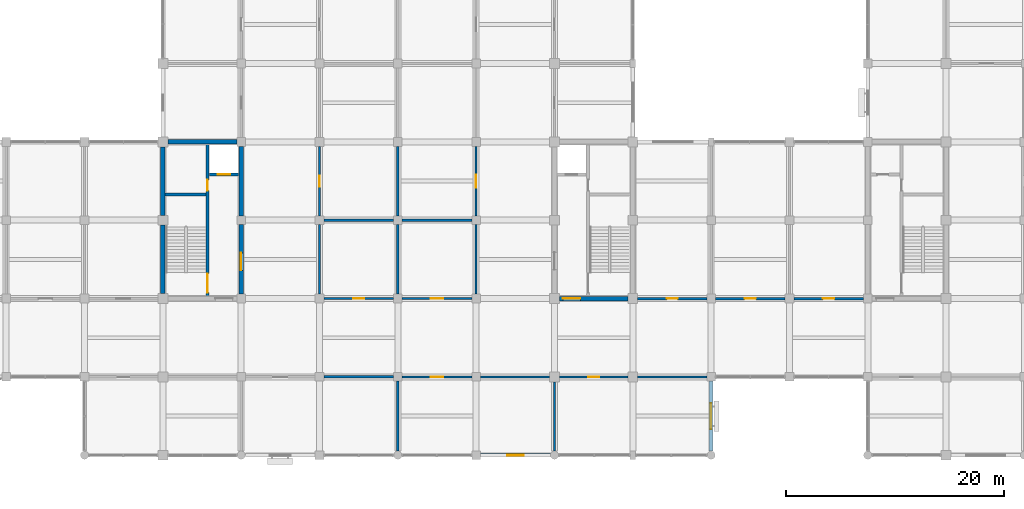
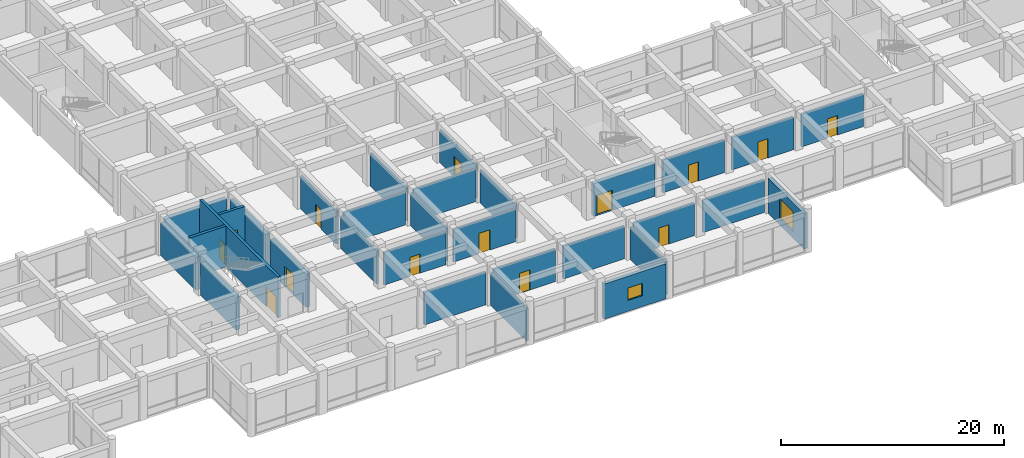
# One storey, part 58 of 75: 31 walls, 14 doors, 2 windows, 16 openings.
"""IFC4 building model written with IfcOpenShell, lengths in metres."""

from ifc_helpers import new_model, si_unit, direction, frame, frame_2d, origin, place, context, subcontext, project, spatial, rectangle, extrude, material, layer, layer_set, type_object, element, fill, save


model = new_model("IFC4")

# Units and contexts
model_context = context("Model", 3, precision=1e-05, world=origin(), true_north=direction((0.0, 1.0)))
body_context = subcontext(model_context, "Body", "Model", "MODEL_VIEW")
ifc_project = project(units=[si_unit("LENGTHUNIT", "METRE"), si_unit("AREAUNIT", "SQUARE_METRE"), si_unit("VOLUMEUNIT", "CUBIC_METRE"), si_unit("PLANEANGLEUNIT", "RADIAN"), si_unit("MASSUNIT", "GRAM", prefix="KILO")], contexts=[model_context])

# Site, building, storey
site_placement = place(None, origin())
site = spatial("IfcSite", under=ifc_project, at=site_placement, CompositionType="ELEMENT")
building_placement = place(site_placement, origin())
building = spatial("IfcBuilding", under=site, at=building_placement, Name="Cendaluz Park School", CompositionType="ELEMENT")
storey_placement = place(building_placement, frame((0.0, 0.0, 4.800048828125)))
storey = spatial("IfcBuildingStorey", under=building, at=storey_placement, Name="L01", CompositionType="ELEMENT", Elevation=4.800048828125)

# Wall, opening, door
ifc_material_1 = material(Name="Gypsum Plasterboard on Cold-Formed Stud", Category="gypsum")
ifc_layer_1 = layer(ifc_material_1, 0.199951171875)
ifc_layer_set_1 = layer_set([ifc_layer_1], Name="Gypsum Plasterboard on Cold-Formed Stud")
wall_type_1 = type_object("IfcWallType", Name="W-AC20", PredefinedType="PARTITIONING", material=ifc_layer_set_1)
wall_1_placement = place(storey_placement, frame((79.60009765625, 14.39990234375, 0.0), z_axis=(0.0, 0.0, 1.0), x_axis=(1.0, 0.0, 0.0)))
wall_1 = element("IfcWall", 1, at=wall_1_placement, inside=storey, type_object=wall_type_1, Name="WL-FB-BV9", PredefinedType="PARTITIONING", context=body_context, shape_type="SweptSolid", body=[
    extrude(rectangle(XDim=6.39990234375, YDim=0.199951171875, at=frame_2d((3.199951171875, 0.0))), origin(), (0.0, 0.0, 1.0), 3.579833984375),
])
opening_1_placement = place(wall_1_placement, frame((2.699951171875, 0.0, 0.0)))
opening_1 = element("IfcOpeningElement", 2, at=opening_1_placement, cuts=wall_1, Name="Opening DCL-01", PredefinedType="OPENING", context=body_context, shape_type="SweptSolid", body=[
    extrude(rectangle(XDim=1.0, YDim=2.10009765625, at=frame_2d((0.5, 1.050048828125))), frame((0.0, 0.112060546875, 0.0), z_axis=(0.0, -1.0, 0.0), x_axis=(1.0, 0.0, 0.0)), (0.0, 0.0, 1.0), 0.223876953125),
])
ifc_material_2 = material(Name="Solid Core Hardwood", Category="wood")
door_type_1 = type_object("IfcDoorType", Name="DCL-01", OperationType="NOTDEFINED", PredefinedType="DOOR", material=ifc_material_2)
door_1_placement = place(opening_1_placement, origin())
door_1 = element("IfcDoor", 3, at=door_1_placement, inside=storey, type_object=door_type_1, Name="D-L01-063", OperationType="SINGLE_SWING_LEFT", OverallHeight=2.10009765625, OverallWidth=1.0, PredefinedType="DOOR", context=body_context, shape_type="SweptSolid", body=[
    extrude(rectangle(XDim=1.0, YDim=2.10009765625, at=frame_2d((0.5, 1.050048828125))), frame((0.0, 0.02490234375, 0.0), z_axis=(0.0, -1.0, 0.0), x_axis=(1.0, 0.0, 0.0)), (0.0, 0.0, 1.0), 0.050048828125),
])
fill(opening_1, door_1)

# Walls
for number, where, z_axis, x_axis, name in (
    (4, (79.60009765625, 21.60009765625, 0.0), (0.0, 0.0, 1.0), (1.0, 0.0, 0.0), "WL-FB-BW0"),
    (5, (79.199951171875, 14.800048828125, 0.0), (0.0, 0.0, 1.0), (0.0, 1.0, 0.0), "WL-FB-BW1"),
    (6, (86.39990234375, 14.800048828125, 0.0), (0.0, 0.0, 1.0), (0.0, 1.0, 0.0), "WL-FB-BW2"),
):
    element("IfcWall", number, at=place(storey_placement, frame(where, z_axis=z_axis, x_axis=x_axis)), inside=storey, type_object=wall_type_1, Name=name, PredefinedType="PARTITIONING", context=body_context, shape_type="SweptSolid", body=[
        extrude(rectangle(XDim=6.39990234375, YDim=0.199951171875, at=frame_2d((3.199951171875, 0.0))), origin(), (0.0, 0.0, 1.0), 3.579833984375),
    ])

# Wall, opening, door
wall_2_placement = place(storey_placement, frame((86.800048828125, 7.199951171875, 0.0), z_axis=(0.0, 0.0, 1.0), x_axis=(1.0, 0.0, 0.0)))
wall_2 = element("IfcWall", 7, at=wall_2_placement, inside=storey, type_object=wall_type_1, Name="WL-FB-BY0", PredefinedType="PARTITIONING", context=body_context, shape_type="SweptSolid", body=[
    extrude(rectangle(XDim=6.39990234375, YDim=0.199951171875, at=frame_2d((3.199951171875, 0.0))), origin(), (0.0, 0.0, 1.0), 3.579833984375),
])
opening_2_placement = place(wall_2_placement, frame((2.639892578125, 0.0, 0.0)))
opening_2 = element("IfcOpeningElement", 8, at=opening_2_placement, cuts=wall_2, Name="Opening DCL-06", PredefinedType="OPENING", context=body_context, shape_type="SweptSolid", body=[
    extrude(rectangle(XDim=1.1201171875, YDim=2.199951171875, at=frame_2d((0.56005859375, 1.10009765625))), frame((0.0, 0.112060546875, 0.0), z_axis=(0.0, -1.0, 0.0), x_axis=(1.0, 0.0, 0.0)), (0.0, 0.0, 1.0), 0.223876953125),
])
door_type_2 = type_object("IfcDoorType", Name="DCL-06", OperationType="NOTDEFINED", PredefinedType="DOOR", material=ifc_material_2)
door_2_placement = place(opening_2_placement, frame((1.1201171875, 0.0, 0.0), z_axis=(0.0, 0.0, 1.0), x_axis=(-1.0, 0.0, 0.0)))
door_2 = element("IfcDoor", 9, at=door_2_placement, inside=storey, type_object=door_type_2, Name="D-L01-068", OperationType="SINGLE_SWING_RIGHT", OverallHeight=2.199951171875, OverallWidth=1.1201171875, PredefinedType="DOOR", context=body_context, shape_type="SweptSolid", body=[
    extrude(rectangle(XDim=1.1201171875, YDim=2.199951171875, at=frame_2d((0.56005859375, 1.10009765625))), frame((0.0, 0.02490234375, 0.0), z_axis=(0.0, -1.0, 0.0), x_axis=(1.0, 0.0, 0.0)), (0.0, 0.0, 1.0), 0.050048828125),
])
fill(opening_2, door_2)

# Walls
wall_3_placement = place(storey_placement, frame((94.0, 7.199951171875, 0.0), z_axis=(0.0, 0.0, 1.0), x_axis=(1.0, 0.0, 0.0)))
element("IfcWall", 10, at=wall_3_placement, inside=storey, type_object=wall_type_1, Name="WL-FB-BY1", PredefinedType="PARTITIONING", context=body_context, shape_type="SweptSolid", body=[
    extrude(rectangle(XDim=6.35009765625, YDim=0.199951171875, at=frame_2d((3.175048828125, 0.0))), origin(), (0.0, 0.0, 1.0), 3.579833984375),
])
wall_4_placement = place(storey_placement, frame((100.800048828125, 0.375, 0.0), z_axis=(0.0, 0.0, 1.0), x_axis=(0.0, 1.0, 0.0)))
element("IfcWall", 11, at=wall_4_placement, inside=storey, type_object=wall_type_1, Name="WL-FB-BY2", PredefinedType="PARTITIONING", context=body_context, shape_type="SweptSolid", body=[
    extrude(rectangle(XDim=6.375, YDim=0.199951171875, at=frame_2d((3.1875, 0.0))), origin(), (0.0, 0.0, 1.0), 3.579833984375),
])

# Wall, opening, door
wall_5_placement = place(storey_placement, frame((86.800048828125, 14.39990234375, 0.0), z_axis=(0.0, 0.0, 1.0), x_axis=(1.0, 0.0, 0.0)))
wall_5 = element("IfcWall", 12, at=wall_5_placement, inside=storey, type_object=wall_type_1, Name="WL-FB-BY3", PredefinedType="PARTITIONING", context=body_context, shape_type="SweptSolid", body=[
    extrude(rectangle(XDim=6.39990234375, YDim=0.199951171875, at=frame_2d((3.199951171875, 0.0))), origin(), (0.0, 0.0, 1.0), 3.579833984375),
])
opening_3_placement = place(wall_5_placement, frame((2.6201171875, 0.0, 0.0)))
opening_3 = element("IfcOpeningElement", 13, at=opening_3_placement, cuts=wall_5, Name="Opening DCL-07", PredefinedType="OPENING", context=body_context, shape_type="SweptSolid", body=[
    extrude(rectangle(XDim=1.159912109375, YDim=2.219970703125, at=frame_2d((0.580078125, 1.10986328125))), frame((0.0, 0.112060546875, 0.0), z_axis=(0.0, -1.0, 0.0), x_axis=(1.0, 0.0, 0.0)), (0.0, 0.0, 1.0), 0.223876953125),
])
door_type_3 = type_object("IfcDoorType", Name="DCL-07", OperationType="NOTDEFINED", PredefinedType="DOOR", material=ifc_material_2)
door_3_placement = place(opening_3_placement, origin())
door_3 = element("IfcDoor", 14, at=door_3_placement, inside=storey, type_object=door_type_3, Name="D-L01-069", OperationType="SINGLE_SWING_LEFT", OverallHeight=2.219970703125, OverallWidth=1.159912109375, PredefinedType="DOOR", context=body_context, shape_type="SweptSolid", body=[
    extrude(rectangle(XDim=1.159912109375, YDim=2.219970703125, at=frame_2d((0.580078125, 1.10986328125))), frame((0.0, 0.02490234375, 0.0), z_axis=(0.0, -1.0, 0.0), x_axis=(1.0, 0.0, 0.0)), (0.0, 0.0, 1.0), 0.050048828125),
])
fill(opening_3, door_3)

# Walls
for number, where, z_axis, x_axis, name in (
    (15, (86.800048828125, 21.60009765625, 0.0), (0.0, 0.0, 1.0), (1.0, 0.0, 0.0), "WL-FB-BY4"),
    (16, (93.60009765625, 14.800048828125, 0.0), (0.0, 0.0, 1.0), (0.0, 1.0, 0.0), "WL-FB-BY5"),
):
    element("IfcWall", number, at=place(storey_placement, frame(where, z_axis=z_axis, x_axis=x_axis)), inside=storey, type_object=wall_type_1, Name=name, PredefinedType="PARTITIONING", context=body_context, shape_type="SweptSolid", body=[
        extrude(rectangle(XDim=6.39990234375, YDim=0.199951171875, at=frame_2d((3.199951171875, 0.0))), origin(), (0.0, 0.0, 1.0), 3.579833984375),
    ])

# Wall, opening, door
wall_6_placement = place(storey_placement, frame((93.60009765625, 22.0, 0.0), z_axis=(0.0, 0.0, 1.0), x_axis=(0.0, 1.0, 0.0)))
wall_6 = element("IfcWall", 17, at=wall_6_placement, inside=storey, type_object=wall_type_1, Name="WL-FB-BY6", PredefinedType="PARTITIONING", context=body_context, shape_type="SweptSolid", body=[
    extrude(rectangle(XDim=6.39990234375, YDim=0.199951171875, at=frame_2d((3.199951171875, 0.0))), origin(), (0.0, 0.0, 1.0), 3.579833984375),
])
opening_4_placement = place(wall_6_placement, frame((2.60009765625, 0.0, 0.0)))
opening_4 = element("IfcOpeningElement", 18, at=opening_4_placement, cuts=wall_6, Name="Opening DCL-08", PredefinedType="OPENING", context=body_context, shape_type="SweptSolid", body=[
    extrude(rectangle(XDim=1.199951171875, YDim=2.239990234375, at=frame_2d((0.60009765625, 1.1201171875))), frame((0.0, 0.112060546875, 0.0), z_axis=(0.0, -1.0, 0.0), x_axis=(1.0, 0.0, 0.0)), (0.0, 0.0, 1.0), 0.223876953125),
])
door_type_4 = type_object("IfcDoorType", Name="DCL-08", OperationType="NOTDEFINED", PredefinedType="DOOR", material=ifc_material_2)
door_4_placement = place(opening_4_placement, origin())
door_4 = element("IfcDoor", 19, at=door_4_placement, inside=storey, type_object=door_type_4, Name="D-L01-070", OperationType="SINGLE_SWING_RIGHT", OverallHeight=2.239990234375, OverallWidth=1.199951171875, PredefinedType="DOOR", context=body_context, shape_type="SweptSolid", body=[
    extrude(rectangle(XDim=1.199951171875, YDim=2.239990234375, at=frame_2d((0.60009765625, 1.1201171875))), frame((0.0, 0.02490234375, 0.0), z_axis=(0.0, -1.0, 0.0), x_axis=(1.0, 0.0, 0.0)), (0.0, 0.0, 1.0), 0.050048828125),
])
fill(opening_4, door_4)

wall_7_placement = place(storey_placement, frame((101.25, 7.199951171875, 0.0), z_axis=(0.0, 0.0, 1.0), x_axis=(1.0, 0.0, 0.0)))
wall_7 = element("IfcWall", 20, at=wall_7_placement, inside=storey, type_object=wall_type_1, Name="WL-FB-BZ6", PredefinedType="PARTITIONING", context=body_context, shape_type="SweptSolid", body=[
    extrude(rectangle(XDim=6.300048828125, YDim=0.199951171875, at=frame_2d((3.14990234375, 0.0))), origin(), (0.0, 0.0, 1.0), 3.579833984375),
])
opening_5_placement = place(wall_7_placement, frame((2.639892578125, 0.0, 0.0)))
opening_5 = element("IfcOpeningElement", 21, at=opening_5_placement, cuts=wall_7, Name="Opening DCL-02", PredefinedType="OPENING", context=body_context, shape_type="SweptSolid", body=[
    extrude(rectangle(XDim=1.02001953125, YDim=2.1201171875, at=frame_2d((0.510009765625, 1.06005859375))), frame((0.0, 0.112060546875, 0.0), z_axis=(0.0, -1.0, 0.0), x_axis=(1.0, 0.0, 0.0)), (0.0, 0.0, 1.0), 0.223876953125),
])
door_type_5 = type_object("IfcDoorType", Name="DCL-02", OperationType="NOTDEFINED", PredefinedType="DOOR", material=ifc_material_2)
door_5_placement = place(opening_5_placement, frame((1.02001953125, 0.0, 0.0), z_axis=(0.0, 0.0, 1.0), x_axis=(-1.0, 0.0, 0.0)))
door_5 = element("IfcDoor", 22, at=door_5_placement, inside=storey, type_object=door_type_5, Name="D-L01-074", OperationType="SINGLE_SWING_RIGHT", OverallHeight=2.1201171875, OverallWidth=1.02001953125, PredefinedType="DOOR", context=body_context, shape_type="SweptSolid", body=[
    extrude(rectangle(XDim=1.02001953125, YDim=2.1201171875, at=frame_2d((0.510009765625, 1.06005859375))), frame((0.0, 0.02490234375, 0.0), z_axis=(0.0, -1.0, 0.0), x_axis=(1.0, 0.0, 0.0)), (0.0, 0.0, 1.0), 0.050048828125),
])
fill(opening_5, door_5)

# Wall
wall_8_placement = place(storey_placement, frame((108.449951171875, 7.199951171875, 0.0), z_axis=(0.0, 0.0, 1.0), x_axis=(1.0, 0.0, 0.0)))
element("IfcWall", 23, at=wall_8_placement, inside=storey, type_object=wall_type_1, Name="WL-FB-BZ7", PredefinedType="PARTITIONING", context=body_context, shape_type="SweptSolid", body=[
    extrude(rectangle(XDim=6.35009765625, YDim=0.199951171875, at=frame_2d((3.175048828125, 0.0))), origin(), (0.0, 0.0, 1.0), 3.579833984375),
])

# Wall, opening, window
ifc_material_3 = material(Name="Concrete C40/50 precast", Category="concrete")
ifc_layer_2 = layer(ifc_material_3, 0.360107421875)
ifc_layer_set_2 = layer_set([ifc_layer_2], Name="Concrete C40/50 precast")
wall_type_2 = type_object("IfcWallType", Name="W-EX36", PredefinedType="SOLIDWALL", material=ifc_layer_set_2)
wall_9_placement = place(storey_placement, frame((94.0, 0.0, 0.0), z_axis=(0.0, 0.0, 1.0), x_axis=(1.0, 0.0, 0.0)))
wall_9 = element("IfcWall", 24, at=wall_9_placement, inside=storey, type_object=wall_type_2, Name="WL-FB-AC0", PredefinedType="SOLIDWALL", context=body_context, shape_type="SweptSolid", body=[
    extrude(rectangle(XDim=6.425048828125, YDim=0.360107421875, at=frame_2d((3.21240234375, 0.0))), origin(), (0.0, 0.0, 1.0), 3.849853515625),
])
opening_6_placement = place(wall_9_placement, frame((2.46240234375, 0.0, 1.199951171875)))
opening_6 = element("IfcOpeningElement", 25, at=opening_6_placement, cuts=wall_9, Name="Opening WN-20", PredefinedType="OPENING", context=body_context, shape_type="SweptSolid", body=[
    extrude(rectangle(XDim=1.5, YDim=1.35009765625, at=frame_2d((0.75, 0.675048828125))), frame((0.0, 0.192138671875, 0.0), z_axis=(0.0, -1.0, 0.0), x_axis=(1.0, 0.0, 0.0)), (0.0, 0.0, 1.0), 0.384033203125),
])
ifc_material_4 = material(Name="Tempered Low-E Double Glazing", Category="glass")
window_type_1 = type_object("IfcWindowType", Name="WN-20", PartitioningType="SINGLE_PANEL", PredefinedType="WINDOW", material=ifc_material_4)
window_1_placement = place(opening_6_placement, origin())
window_1 = element("IfcWindow", 26, at=window_1_placement, inside=storey, type_object=window_type_1, Name="WN-L01-021", OverallHeight=1.35009765625, OverallWidth=1.5, PartitioningType="SINGLE_PANEL", PredefinedType="WINDOW", context=body_context, shape_type="SweptSolid", body=[
    extrude(rectangle(XDim=1.5, YDim=1.35009765625, at=frame_2d((0.75, 0.675048828125))), frame((0.0, 0.030029296875, 0.0), z_axis=(0.0, -1.0, 0.0), x_axis=(1.0, 0.0, 0.0)), (0.0, 0.0, 1.0), 0.06005859375),
])
fill(opening_6, window_1)

wall_10_placement = place(storey_placement, frame((115.199951171875, 0.375, 0.0), z_axis=(0.0, 0.0, 1.0), x_axis=(0.0, 1.0, 0.0)))
wall_10 = element("IfcWall", 27, at=wall_10_placement, inside=storey, type_object=wall_type_2, Name="WL-FB-AC2", PredefinedType="SOLIDWALL", context=body_context, shape_type="SweptSolid", body=[
    extrude(rectangle(XDim=6.425048828125, YDim=0.360107421875, at=frame_2d((3.21240234375, 0.0))), origin(), (0.0, 0.0, 1.0), 3.849853515625),
])
opening_7_placement = place(wall_10_placement, frame((2.012451171875, 0.0, 0.699951171875)))
opening_7 = element("IfcOpeningElement", 28, at=opening_7_placement, cuts=wall_10, Name="Opening WN-23", PredefinedType="OPENING", context=body_context, shape_type="SweptSolid", body=[
    extrude(rectangle(XDim=2.39990234375, YDim=2.199951171875, at=frame_2d((1.199951171875, 1.10009765625))), frame((0.0, 0.192138671875, 0.0), z_axis=(0.0, -1.0, 0.0), x_axis=(1.0, 0.0, 0.0)), (0.0, 0.0, 1.0), 0.384033203125),
])
window_type_2 = type_object("IfcWindowType", Name="WN-23", PartitioningType="SINGLE_PANEL", PredefinedType="WINDOW", material=ifc_material_4)
window_2_placement = place(opening_7_placement, origin())
window_2 = element("IfcWindow", 29, at=window_2_placement, inside=storey, type_object=window_type_2, Name="WN-L01-023", OverallHeight=2.199951171875, OverallWidth=2.39990234375, PartitioningType="SINGLE_PANEL", PredefinedType="WINDOW", context=body_context, shape_type="SweptSolid", body=[
    extrude(rectangle(XDim=2.39990234375, YDim=2.199951171875, at=frame_2d((1.199951171875, 1.10009765625))), frame((0.0, 0.030029296875, 0.0), z_axis=(0.0, -1.0, 0.0), x_axis=(1.0, 0.0, 0.0)), (0.0, 0.0, 1.0), 0.06005859375),
])
fill(opening_7, window_2)

# Wall, openings, doors
ifc_material_5 = material(Name="Concrete C40/50", Category="concrete")
ifc_layer_3 = layer(ifc_material_5, 0.280029296875)
ifc_layer_set_3 = layer_set([ifc_layer_3], Name="Concrete C40/50")
wall_type_3 = type_object("IfcWallType", Name="W-FW28", PredefinedType="SHEAR", material=ifc_layer_set_3)
wall_11_placement = place(storey_placement, frame((68.919921875, 14.60009765625, 0.0), z_axis=(0.0, 0.0, 1.0), x_axis=(0.0, 1.0, 0.0)))
wall_11 = element("IfcWall", 30, at=wall_11_placement, inside=storey, type_object=wall_type_3, Name="WL-FB-BI5", PredefinedType="SHEAR", context=body_context, shape_type="SweptSolid", body=[
    extrude(rectangle(XDim=14.0, YDim=0.280029296875, at=frame_2d((7.0, 0.0))), origin(), (0.0, 0.0, 1.0), 4.47998046875),
])
opening_8_placement = place(wall_11_placement, frame((0.35009765625, 0.0, 0.0)))
opening_8 = element("IfcOpeningElement", 31, at=opening_8_placement, cuts=wall_11, Name="Opening DST-03", PredefinedType="OPENING", context=body_context, shape_type="SweptSolid", body=[
    extrude(rectangle(XDim=1.75, YDim=2.14990234375, at=frame_2d((0.875, 1.074951171875))), frame((0.0, 0.152099609375, 0.0), z_axis=(0.0, -1.0, 0.0), x_axis=(1.0, 0.0, 0.0)), (0.0, 0.0, 1.0), 0.303955078125),
])
opening_9_placement = place(wall_11_placement, frame((9.719970703125, 0.0, 0.0)))
opening_9 = element("IfcOpeningElement", 32, at=opening_9_placement, cuts=wall_11, Name="Opening DFC-01", PredefinedType="OPENING", context=body_context, shape_type="SweptSolid", body=[
    extrude(rectangle(XDim=1.0, YDim=2.14990234375, at=frame_2d((0.5, 1.074951171875))), frame((0.0, 0.152099609375, 0.0), z_axis=(0.0, -1.0, 0.0), x_axis=(1.0, 0.0, 0.0)), (0.0, 0.0, 1.0), 0.303955078125),
])
door_type_6 = type_object("IfcDoorType", Name="DFC-01", OperationType="NOTDEFINED", PredefinedType="DOOR", material=ifc_material_2)
door_6_placement = place(opening_9_placement, origin())
door_6 = element("IfcDoor", 33, at=door_6_placement, inside=storey, type_object=door_type_6, Name="D-L01-004", OperationType="SINGLE_SWING_LEFT", OverallHeight=2.14990234375, OverallWidth=1.0, PredefinedType="DOOR", context=body_context, shape_type="SweptSolid", body=[
    extrude(rectangle(XDim=1.0, YDim=2.14990234375, at=frame_2d((0.5, 1.074951171875))), frame((0.0, 0.02490234375, 0.0), z_axis=(0.0, -1.0, 0.0), x_axis=(1.0, 0.0, 0.0)), (0.0, 0.0, 1.0), 0.050048828125),
])
fill(opening_9, door_6)
door_type_7 = type_object("IfcDoorType", Name="DST-03", OperationType="DOUBLE_DOOR_SINGLE_SWING", PredefinedType="DOOR", material=ifc_material_2)
door_7_placement = place(opening_8_placement, origin())
door_7 = element("IfcDoor", 34, at=door_7_placement, inside=storey, type_object=door_type_7, Name="D-L01-003", OperationType="DOUBLE_DOOR_SINGLE_SWING", OverallHeight=2.14990234375, OverallWidth=1.75, PredefinedType="DOOR", context=body_context, shape_type="SweptSolid", body=[
    extrude(rectangle(XDim=1.75, YDim=2.14990234375, at=frame_2d((0.875, 1.074951171875))), frame((0.0, 0.02490234375, 0.0), z_axis=(0.0, -1.0, 0.0), x_axis=(1.0, 0.0, 0.0)), (0.0, 0.0, 1.0), 0.050048828125),
])
fill(opening_8, door_7)

# Wall
wall_12_placement = place(storey_placement, frame((65.0, 23.97998046875, 0.0), z_axis=(0.0, 0.0, 1.0), x_axis=(1.0, 0.0, 0.0)))
element("IfcWall", 35, at=wall_12_placement, inside=storey, type_object=wall_type_3, Name="WL-FB-BI6", PredefinedType="SHEAR", context=body_context, shape_type="SweptSolid", body=[
    extrude(rectangle(XDim=3.780029296875, YDim=0.280029296875, at=frame_2d((1.89013671875, 0.0))), origin(), (0.0, 0.0, 1.0), 4.47998046875),
])

# Wall, opening, door
wall_13_placement = place(storey_placement, frame((69.080078125, 25.800048828125, 0.0), z_axis=(0.0, 0.0, 1.0), x_axis=(1.0, 0.0, 0.0)))
wall_13 = element("IfcWall", 36, at=wall_13_placement, inside=storey, type_object=wall_type_3, Name="WL-FB-BI7", PredefinedType="SHEAR", context=body_context, shape_type="SweptSolid", body=[
    extrude(rectangle(XDim=2.679931640625, YDim=0.280029296875, at=frame_2d((1.33984375, 0.0))), origin(), (0.0, 0.0, 1.0), 4.47998046875),
])
opening_10_placement = place(wall_13_placement, frame((0.764892578125, 0.0, 0.0)))
opening_10 = element("IfcOpeningElement", 37, at=opening_10_placement, cuts=wall_13, Name="Opening LD-01", PredefinedType="OPENING", context=body_context, shape_type="SweptSolid", body=[
    extrude(rectangle(XDim=1.14990234375, YDim=2.199951171875, at=frame_2d((0.574951171875, 1.10009765625))), frame((0.0, 0.152099609375, 0.0), z_axis=(0.0, -1.0, 0.0), x_axis=(1.0, 0.0, 0.0)), (0.0, 0.0, 1.0), 0.303955078125),
])
ifc_material_6 = material(Name="Stainless Steel 316L", Category="steel")
door_type_8 = type_object("IfcDoorType", Name="LD-01", OperationType="DOUBLE_DOOR_SLIDING", PredefinedType="DOOR", material=ifc_material_6)
door_8_placement = place(opening_10_placement, frame((1.14990234375, 0.0, 0.0), z_axis=(0.0, 0.0, 1.0), x_axis=(-1.0, 0.0, 0.0)))
door_8 = element("IfcDoor", 38, at=door_8_placement, inside=storey, type_object=door_type_8, Name="D-L01-005", OperationType="DOUBLE_DOOR_SLIDING", OverallHeight=2.199951171875, OverallWidth=1.14990234375, PredefinedType="DOOR", context=body_context, shape_type="SweptSolid", body=[
    extrude(rectangle(XDim=1.14990234375, YDim=2.199951171875, at=frame_2d((0.574951171875, 1.10009765625))), frame((0.0, 0.02490234375, 0.0), z_axis=(0.0, -1.0, 0.0), x_axis=(1.0, 0.0, 0.0)), (0.0, 0.0, 1.0), 0.050048828125),
])
fill(opening_10, door_8)

ifc_layer_4 = layer(ifc_material_1, 0.219970703125)
ifc_layer_set_4 = layer_set([ifc_layer_4], Name="Gypsum Plasterboard on Cold-Formed Stud")
wall_type_4 = type_object("IfcWallType", Name="W-LB22", PredefinedType="PARTITIONING", material=ifc_layer_set_4)
wall_14_placement = place(storey_placement, frame((108.449951171875, 14.39990234375, 0.0), z_axis=(0.0, 0.0, 1.0), x_axis=(1.0, 0.0, 0.0)))
wall_14 = element("IfcWall", 39, at=wall_14_placement, inside=storey, type_object=wall_type_4, Name="WL-FB-BR1", PredefinedType="PARTITIONING", context=body_context, shape_type="SweptSolid", body=[
    extrude(rectangle(XDim=6.35009765625, YDim=0.219970703125, at=frame_2d((3.175048828125, 0.0))), origin(), (0.0, 0.0, 1.0), 3.579833984375),
])
opening_11_placement = place(wall_14_placement, frame((2.675048828125, 0.0, 0.0)))
opening_11 = element("IfcOpeningElement", 40, at=opening_11_placement, cuts=wall_14, Name="Opening DCL-01", PredefinedType="OPENING", context=body_context, shape_type="SweptSolid", body=[
    extrude(rectangle(XDim=1.0, YDim=2.10009765625, at=frame_2d((0.5, 1.050048828125))), frame((0.0, 0.1220703125, 0.0), z_axis=(0.0, -1.0, 0.0), x_axis=(1.0, 0.0, 0.0)), (0.0, 0.0, 1.0), 0.243896484375),
])
door_9_placement = place(opening_11_placement, frame((1.0, 0.0, 0.0), z_axis=(0.0, 0.0, 1.0), x_axis=(-1.0, 0.0, 0.0)))
door_9 = element("IfcDoor", 41, at=door_9_placement, inside=storey, type_object=door_type_1, Name="D-L01-043", OperationType="SINGLE_SWING_LEFT", OverallHeight=2.10009765625, OverallWidth=1.0, PredefinedType="DOOR", context=body_context, shape_type="SweptSolid", body=[
    extrude(rectangle(XDim=1.0, YDim=2.10009765625, at=frame_2d((0.5, 1.050048828125))), frame((0.0, 0.02490234375, 0.0), z_axis=(0.0, -1.0, 0.0), x_axis=(1.0, 0.0, 0.0)), (0.0, 0.0, 1.0), 0.050048828125),
])
fill(opening_11, door_9)

wall_15_placement = place(storey_placement, frame((115.60009765625, 14.39990234375, 0.0), z_axis=(0.0, 0.0, 1.0), x_axis=(1.0, 0.0, 0.0)))
wall_15 = element("IfcWall", 42, at=wall_15_placement, inside=storey, type_object=wall_type_4, Name="WL-FB-BR4", PredefinedType="PARTITIONING", context=body_context, shape_type="SweptSolid", body=[
    extrude(rectangle(XDim=6.39990234375, YDim=0.219970703125, at=frame_2d((3.199951171875, 0.0))), origin(), (0.0, 0.0, 1.0), 3.579833984375),
])
opening_12_placement = place(wall_15_placement, frame((2.68994140625, 0.0, 0.0)))
opening_12 = element("IfcOpeningElement", 43, at=opening_12_placement, cuts=wall_15, Name="Opening DCL-02", PredefinedType="OPENING", context=body_context, shape_type="SweptSolid", body=[
    extrude(rectangle(XDim=1.02001953125, YDim=2.1201171875, at=frame_2d((0.510009765625, 1.06005859375))), frame((0.0, 0.1220703125, 0.0), z_axis=(0.0, -1.0, 0.0), x_axis=(1.0, 0.0, 0.0)), (0.0, 0.0, 1.0), 0.243896484375),
])
door_10_placement = place(opening_12_placement, frame((1.02001953125, 0.0, 0.0), z_axis=(0.0, 0.0, 1.0), x_axis=(-1.0, 0.0, 0.0)))
door_10 = element("IfcDoor", 44, at=door_10_placement, inside=storey, type_object=door_type_5, Name="D-L01-044", OperationType="SINGLE_SWING_RIGHT", OverallHeight=2.1201171875, OverallWidth=1.02001953125, PredefinedType="DOOR", context=body_context, shape_type="SweptSolid", body=[
    extrude(rectangle(XDim=1.02001953125, YDim=2.1201171875, at=frame_2d((0.510009765625, 1.06005859375))), frame((0.0, 0.02490234375, 0.0), z_axis=(0.0, -1.0, 0.0), x_axis=(1.0, 0.0, 0.0)), (0.0, 0.0, 1.0), 0.050048828125),
])
fill(opening_12, door_10)

wall_16_placement = place(storey_placement, frame((122.800048828125, 14.39990234375, 0.0), z_axis=(0.0, 0.0, 1.0), x_axis=(1.0, 0.0, 0.0)))
wall_16 = element("IfcWall", 45, at=wall_16_placement, inside=storey, type_object=wall_type_4, Name="WL-FB-BR7", PredefinedType="PARTITIONING", context=body_context, shape_type="SweptSolid", body=[
    extrude(rectangle(XDim=6.39990234375, YDim=0.219970703125, at=frame_2d((3.199951171875, 0.0))), origin(), (0.0, 0.0, 1.0), 3.579833984375),
])
opening_13_placement = place(wall_16_placement, frame((2.679931640625, 0.0, 0.0)))
opening_13 = element("IfcOpeningElement", 46, at=opening_13_placement, cuts=wall_16, Name="Opening DCL-03", PredefinedType="OPENING", context=body_context, shape_type="SweptSolid", body=[
    extrude(rectangle(XDim=1.0400390625, YDim=2.139892578125, at=frame_2d((0.52001953125, 1.06982421875))), frame((0.0, 0.1220703125, 0.0), z_axis=(0.0, -1.0, 0.0), x_axis=(1.0, 0.0, 0.0)), (0.0, 0.0, 1.0), 0.243896484375),
])
door_type_9 = type_object("IfcDoorType", Name="DCL-03", OperationType="NOTDEFINED", PredefinedType="DOOR", material=ifc_material_2)
door_11_placement = place(opening_13_placement, frame((1.0400390625, 0.0, 0.0), z_axis=(0.0, 0.0, 1.0), x_axis=(-1.0, 0.0, 0.0)))
door_11 = element("IfcDoor", 47, at=door_11_placement, inside=storey, type_object=door_type_9, Name="D-L01-045", OperationType="SINGLE_SWING_LEFT", OverallHeight=2.139892578125, OverallWidth=1.0400390625, PredefinedType="DOOR", context=body_context, shape_type="SweptSolid", body=[
    extrude(rectangle(XDim=1.0400390625, YDim=2.139892578125, at=frame_2d((0.52001953125, 1.06982421875))), frame((0.0, 0.02490234375, 0.0), z_axis=(0.0, -1.0, 0.0), x_axis=(1.0, 0.0, 0.0)), (0.0, 0.0, 1.0), 0.050048828125),
])
fill(opening_13, door_11)

# Walls
wall_17_placement = place(storey_placement, frame((79.60009765625, 7.199951171875, 0.0), z_axis=(0.0, 0.0, 1.0), x_axis=(1.0, 0.0, 0.0)))
element("IfcWall", 48, at=wall_17_placement, inside=storey, type_object=wall_type_4, Name="WL-FB-BV7", PredefinedType="PARTITIONING", context=body_context, shape_type="SweptSolid", body=[
    extrude(rectangle(XDim=6.39990234375, YDim=0.219970703125, at=frame_2d((3.199951171875, 0.0))), origin(), (0.0, 0.0, 1.0), 3.579833984375),
])
wall_18_placement = place(storey_placement, frame((86.39990234375, 0.375, 0.0), z_axis=(0.0, 0.0, 1.0), x_axis=(0.0, 1.0, 0.0)))
element("IfcWall", 49, at=wall_18_placement, inside=storey, type_object=wall_type_4, Name="WL-FB-BV8", PredefinedType="PARTITIONING", context=body_context, shape_type="SweptSolid", body=[
    extrude(rectangle(XDim=6.425048828125, YDim=0.219970703125, at=frame_2d((3.21240234375, 0.0))), origin(), (0.0, 0.0, 1.0), 3.579833984375),
])

# Wall, opening, door
wall_19_placement = place(storey_placement, frame((79.199951171875, 22.0, 0.0), z_axis=(0.0, 0.0, 1.0), x_axis=(0.0, 1.0, 0.0)))
wall_19 = element("IfcWall", 50, at=wall_19_placement, inside=storey, type_object=wall_type_4, Name="WL-FB-BW3", PredefinedType="PARTITIONING", context=body_context, shape_type="SweptSolid", body=[
    extrude(rectangle(XDim=6.39990234375, YDim=0.219970703125, at=frame_2d((3.199951171875, 0.0))), origin(), (0.0, 0.0, 1.0), 3.579833984375),
])
opening_14_placement = place(wall_19_placement, frame((2.68994140625, 0.0, 0.0)))
opening_14 = element("IfcOpeningElement", 51, at=opening_14_placement, cuts=wall_19, Name="Opening DCL-02", PredefinedType="OPENING", context=body_context, shape_type="SweptSolid", body=[
    extrude(rectangle(XDim=1.02001953125, YDim=2.1201171875, at=frame_2d((0.510009765625, 1.06005859375))), frame((0.0, 0.1220703125, 0.0), z_axis=(0.0, -1.0, 0.0), x_axis=(1.0, 0.0, 0.0)), (0.0, 0.0, 1.0), 0.243896484375),
])
door_12_placement = place(opening_14_placement, origin())
door_12 = element("IfcDoor", 52, at=door_12_placement, inside=storey, type_object=door_type_5, Name="D-L01-064", OperationType="SINGLE_SWING_RIGHT", OverallHeight=2.1201171875, OverallWidth=1.02001953125, PredefinedType="DOOR", context=body_context, shape_type="SweptSolid", body=[
    extrude(rectangle(XDim=1.02001953125, YDim=2.1201171875, at=frame_2d((0.510009765625, 1.06005859375))), frame((0.0, 0.02490234375, 0.0), z_axis=(0.0, -1.0, 0.0), x_axis=(1.0, 0.0, 0.0)), (0.0, 0.0, 1.0), 0.050048828125),
])
fill(opening_14, door_12)

# Walls
wall_20_placement = place(storey_placement, frame((86.39990234375, 22.0, 0.0), z_axis=(0.0, 0.0, 1.0), x_axis=(0.0, 1.0, 0.0)))
element("IfcWall", 53, at=wall_20_placement, inside=storey, type_object=wall_type_4, Name="WL-FB-BW4", PredefinedType="PARTITIONING", context=body_context, shape_type="SweptSolid", body=[
    extrude(rectangle(XDim=6.39990234375, YDim=0.219970703125, at=frame_2d((3.199951171875, 0.0))), origin(), (0.0, 0.0, 1.0), 3.579833984375),
])
ifc_layer_5 = layer(ifc_material_5, 0.419921875)
ifc_layer_set_5 = layer_set([ifc_layer_5], Name="Concrete C40/50")
wall_type_5 = type_object("IfcWallType", Name="W-SH42", PredefinedType="SHEAR", material=ifc_layer_set_5)
wall_21_placement = place(storey_placement, frame((64.800048828125, 14.85009765625, 0.0), z_axis=(0.0, 0.0, 1.0), x_axis=(0.0, 1.0, 0.0)))
element("IfcWall", 54, at=wall_21_placement, inside=storey, type_object=wall_type_5, Name="WL-FB-BH9", PredefinedType="SHEAR", context=body_context, shape_type="SweptSolid", body=[
    extrude(rectangle(XDim=6.2998046875, YDim=0.419921875, at=frame_2d((3.14990234375, 0.0))), origin(), (0.0, 0.0, 1.0), 3.579833984375),
])
wall_22_placement = place(storey_placement, frame((64.800048828125, 22.050048828125, 0.0), z_axis=(0.0, 0.0, 1.0), x_axis=(0.0, 1.0, 0.0)))
element("IfcWall", 55, at=wall_22_placement, inside=storey, type_object=wall_type_5, Name="WL-FB-BI0", PredefinedType="SHEAR", context=body_context, shape_type="SweptSolid", body=[
    extrude(rectangle(XDim=6.300048828125, YDim=0.419921875, at=frame_2d((3.14990234375, 0.0))), origin(), (0.0, 0.0, 1.0), 3.579833984375),
])

# Wall, opening, door
wall_23_placement = place(storey_placement, frame((72.0, 14.800048828125, 0.0), z_axis=(0.0, 0.0, 1.0), x_axis=(0.0, 1.0, 0.0)))
wall_23 = element("IfcWall", 56, at=wall_23_placement, inside=storey, type_object=wall_type_5, Name="WL-FB-BI1", PredefinedType="SHEAR", context=body_context, shape_type="SweptSolid", body=[
    extrude(rectangle(XDim=6.39990234375, YDim=0.419921875, at=frame_2d((3.199951171875, 0.0))), origin(), (0.0, 0.0, 1.0), 3.579833984375),
])
opening_15_placement = place(wall_23_placement, frame((2.199951171875, 0.0, 0.0)))
opening_15 = element("IfcOpeningElement", 57, at=opening_15_placement, cuts=wall_23, Name="Opening DLB-01", PredefinedType="OPENING", context=body_context, shape_type="SweptSolid", body=[
    extrude(rectangle(XDim=1.60009765625, YDim=2.199951171875, at=frame_2d((0.800048828125, 1.10009765625))), frame((0.0, 0.221923828125, 0.0), z_axis=(0.0, -1.0, 0.0), x_axis=(1.0, 0.0, 0.0)), (0.0, 0.0, 1.0), 0.44384765625),
])
door_type_10 = type_object("IfcDoorType", Name="DLB-01", OperationType="DOUBLE_DOOR_SINGLE_SWING", PredefinedType="DOOR", material=ifc_material_2)
door_13_placement = place(opening_15_placement, origin())
door_13 = element("IfcDoor", 58, at=door_13_placement, inside=storey, type_object=door_type_10, Name="D-L01-001", OperationType="DOUBLE_DOOR_SINGLE_SWING", OverallHeight=2.199951171875, OverallWidth=1.60009765625, PredefinedType="DOOR", context=body_context, shape_type="SweptSolid", body=[
    extrude(rectangle(XDim=1.60009765625, YDim=2.199951171875, at=frame_2d((0.800048828125, 1.10009765625))), frame((0.0, 0.02490234375, 0.0), z_axis=(0.0, -1.0, 0.0), x_axis=(1.0, 0.0, 0.0)), (0.0, 0.0, 1.0), 0.050048828125),
])
fill(opening_15, door_13)

# Walls
wall_24_placement = place(storey_placement, frame((72.0, 22.0, 0.0), z_axis=(0.0, 0.0, 1.0), x_axis=(0.0, 1.0, 0.0)))
element("IfcWall", 59, at=wall_24_placement, inside=storey, type_object=wall_type_5, Name="WL-FB-BI2", PredefinedType="SHEAR", context=body_context, shape_type="SweptSolid", body=[
    extrude(rectangle(XDim=6.39990234375, YDim=0.419921875, at=frame_2d((3.199951171875, 0.0))), origin(), (0.0, 0.0, 1.0), 3.579833984375),
])
wall_25_placement = place(storey_placement, frame((65.25, 28.800048828125, 0.0), z_axis=(0.0, 0.0, 1.0), x_axis=(1.0, 0.0, 0.0)))
element("IfcWall", 60, at=wall_25_placement, inside=storey, type_object=wall_type_5, Name="WL-FB-BI4", PredefinedType="SHEAR", context=body_context, shape_type="SweptSolid", body=[
    extrude(rectangle(XDim=6.35009765625, YDim=0.419921875, at=frame_2d((3.175048828125, 0.0))), origin(), (0.0, 0.0, 1.0), 3.579833984375),
])

# Wall, opening, door
wall_26_placement = place(storey_placement, frame((101.25, 14.39990234375, 0.0), z_axis=(0.0, 0.0, 1.0), x_axis=(1.0, 0.0, 0.0)))
wall_26 = element("IfcWall", 61, at=wall_26_placement, inside=storey, type_object=wall_type_5, Name="WL-FB-BJ2", PredefinedType="SHEAR", context=body_context, shape_type="SweptSolid", body=[
    extrude(rectangle(XDim=6.300048828125, YDim=0.419921875, at=frame_2d((3.14990234375, 0.0))), origin(), (0.0, 0.0, 1.0), 3.579833984375),
])
opening_16_placement = place(wall_26_placement, frame((0.330078125, 0.0, 0.0)))
opening_16 = element("IfcOpeningElement", 62, at=opening_16_placement, cuts=wall_26, Name="Opening DLB-01", PredefinedType="OPENING", context=body_context, shape_type="SweptSolid", body=[
    extrude(rectangle(XDim=1.60009765625, YDim=2.199951171875, at=frame_2d((0.800048828125, 1.10009765625))), frame((0.0, 0.221923828125, 0.0), z_axis=(0.0, -1.0, 0.0), x_axis=(1.0, 0.0, 0.0)), (0.0, 0.0, 1.0), 0.44384765625),
])
door_14_placement = place(opening_16_placement, origin())
door_14 = element("IfcDoor", 63, at=door_14_placement, inside=storey, type_object=door_type_10, Name="D-L01-007", OperationType="DOUBLE_DOOR_SINGLE_SWING", OverallHeight=2.199951171875, OverallWidth=1.60009765625, PredefinedType="DOOR", context=body_context, shape_type="SweptSolid", body=[
    extrude(rectangle(XDim=1.60009765625, YDim=2.199951171875, at=frame_2d((0.800048828125, 1.10009765625))), frame((0.0, 0.02490234375, 0.0), z_axis=(0.0, -1.0, 0.0), x_axis=(1.0, 0.0, 0.0)), (0.0, 0.0, 1.0), 0.050048828125),
])
fill(opening_16, door_14)

save(model, "model.ifc")
